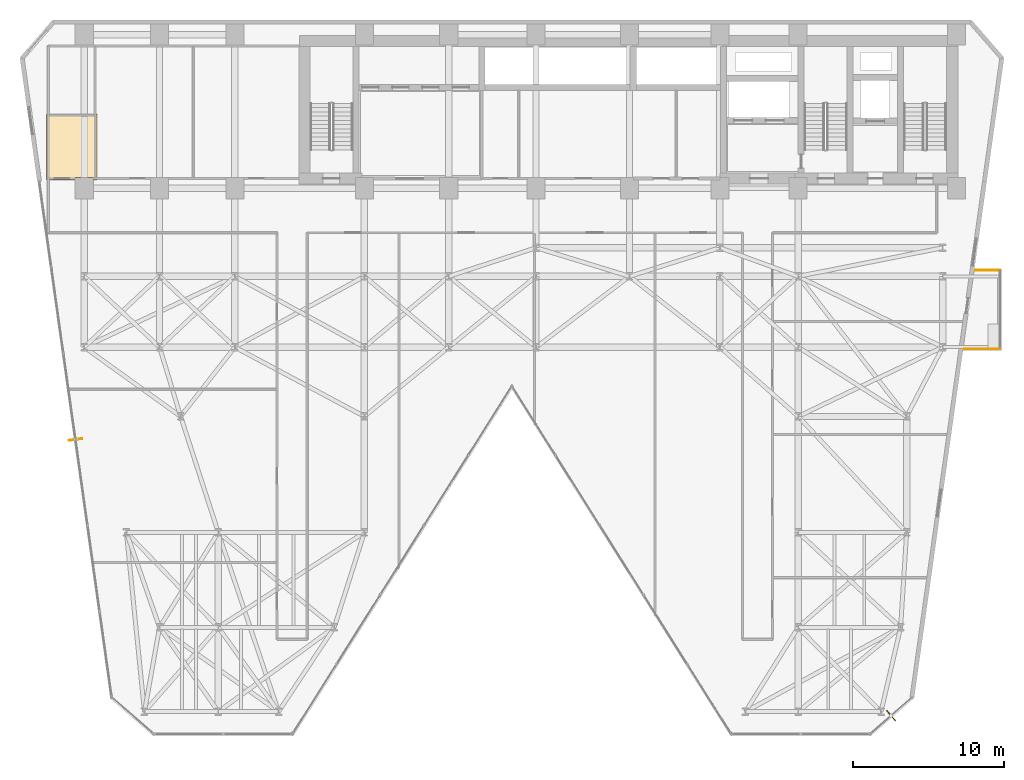
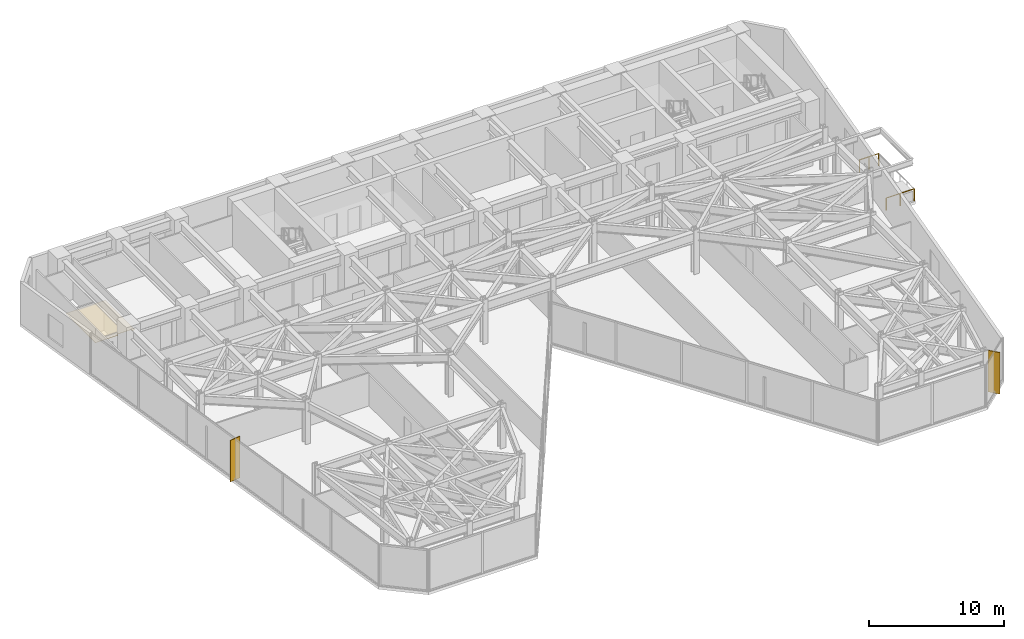
# One storey, part 23 of 25: 2 railings, 2 shading devices, 1 covering.
"""IFC4 building model written with IfcOpenShell, lengths in metres."""

from ifc_helpers import new_model, si_unit, direction, frame, origin, origin_2d, place, context, subcontext, project, spatial, polyline, rectangle, circle, outline, extrude, material, layer, layer_set, type_object, element, save


model = new_model("IFC4")

# Units and contexts
model_context = context("Model", 3, precision=1e-05, world=origin(), true_north=direction((0.0, 1.0)))
body_context = subcontext(model_context, "Body", "Model", "MODEL_VIEW")
ifc_project = project(units=[si_unit("LENGTHUNIT", "METRE"), si_unit("AREAUNIT", "SQUARE_METRE"), si_unit("VOLUMEUNIT", "CUBIC_METRE"), si_unit("PLANEANGLEUNIT", "RADIAN"), si_unit("MASSUNIT", "GRAM", prefix="KILO")], contexts=[model_context])

# Site, building, storey
site_placement = place(None, origin())
site = spatial("IfcSite", under=ifc_project, at=site_placement, CompositionType="ELEMENT")
building_placement = place(site_placement, origin())
building = spatial("IfcBuilding", under=site, at=building_placement, Name="Kravanh Interchange Tower", CompositionType="ELEMENT")
storey_placement = place(building_placement, frame((0.0, 0.0, 73.5)))
storey = spatial("IfcBuildingStorey", under=building, at=storey_placement, Name="L17", CompositionType="ELEMENT", Elevation=73.5)

# Covering
ifc_material_1 = material(Name="Acoustic Mineral Fibre Tile on Aluminium Grid", Category="aluminium")
ifc_layer_1 = layer(ifc_material_1, 0.02490234375)
ifc_layer_set_1 = layer_set([ifc_layer_1], Name="Perforated Acoustic Mineral Ceiling 25mm")
covering_type = type_object("IfcCoveringType", Name="Perforated Acoustic Mineral Ceiling 25mm", PredefinedType="CEILING", material=ifc_layer_set_1)
covering_placement = place(storey_placement, frame((0.0, 0.0, 2.550048828125)))
element("IfcCovering", 1, at=covering_placement, inside=storey, type_object=covering_type, Name="L17 Accessible WC Suspended Ceiling", PredefinedType="CEILING", context=body_context, shape_type="SweptSolid", body=[
    extrude(outline(polyline([(9.4599609375, 42.280029296875), (9.4599609375, 37.909912109375), (9.199951171875, 37.909912109375), (9.199951171875, 38.050048828125), (8.0, 38.050048828125), (8.0, 37.909912109375), (6.080078125, 37.909912109375), (6.080078125, 42.280029296875), (9.4599609375, 42.280029296875)])), origin(), (0.0, 0.0, 1.0), 0.02490234375),
])

# Railings
ifc_material_2 = material(Name="Stainless Steel 316", Category="steel")
ifc_layer_2 = layer(ifc_material_2, 0.06005859375)
ifc_layer_set_2 = layer_set([ifc_layer_2], Name="Perimeter Balcony and Terrace Guardrail Stainless 316 1120mm")
railing_type = type_object("IfcRailingType", Name="Perimeter Balcony and Terrace Guardrail Stainless 316 1120mm", PredefinedType="GUARDRAIL", material=ifc_layer_set_2)
railing_1_placement = place(storey_placement, frame((69.409912109375, 26.669921875, 0.0)))
element("IfcRailing", 2, at=railing_1_placement, inside=storey, type_object=railing_type, Name="L17 E Balcony Guardrail 2", PredefinedType="GUARDRAIL", context=body_context, shape_type="SweptSolid", body=[
    extrude(circle(Radius=0.02392578125, at=origin_2d()), frame((0.0, 0.0, 1.09619140625), z_axis=(-1.0, 0.0, 0.0), x_axis=(0.0, -1.0, 0.0)), (0.0, 0.0, 1.0), 2.382080078125),
    extrude(circle(Radius=0.02099609375, at=origin_2d()), origin(), (0.0, 0.0, 1.0), 1.072021484375),
    extrude(circle(Radius=0.02099609375, at=origin_2d()), frame((-1.19091796875, 0.0, 0.0)), (0.0, 0.0, 1.0), 1.072021484375),
    extrude(circle(Radius=0.02099609375, at=origin_2d()), frame((-2.382080078125, 0.0, 0.0)), (0.0, 0.0, 1.0), 1.072021484375),
])
railing_2_placement = place(storey_placement, frame((67.764404296875, 31.909912109375, 0.0)))
element("IfcRailing", 3, at=railing_2_placement, inside=storey, type_object=railing_type, Name="L17 E Balcony Guardrail 3", PredefinedType="GUARDRAIL", context=body_context, shape_type="SweptSolid", body=[
    extrude(circle(Radius=0.02392578125, at=origin_2d()), frame((0.0, 0.0, 1.09619140625), z_axis=(1.0, 0.0, 0.0), x_axis=(0.0, 1.0, 0.0)), (0.0, 0.0, 1.0), 1.6455078125),
    extrude(circle(Radius=0.02099609375, at=origin_2d()), origin(), (0.0, 0.0, 1.0), 1.072021484375),
    extrude(circle(Radius=0.02099609375, at=origin_2d()), frame((0.82275390625, 0.0, 0.0)), (0.0, 0.0, 1.0), 1.072021484375),
    extrude(circle(Radius=0.02099609375, at=origin_2d()), frame((1.6455078125, 0.0, 0.0)), (0.0, 0.0, 1.0), 1.072021484375),
])

# Shading devices
ifc_material_3 = material(Name="Anodised Champagne Bronze Aluminium", Category="aluminium")
ifc_layer_3 = layer(ifc_material_3, 0.06005859375)
ifc_layer_set_3 = layer_set([ifc_layer_3], Name="Vertical Bronze Solar Fin 900mm")
shading_device_type = type_object("IfcShadingDeviceType", Name="Vertical Bronze Solar Fin 900mm", PredefinedType="USERDEFINED", material=ifc_layer_set_3)
for number, where, z_axis, x_axis, name in (
    (4, (8.03271484375, 20.66845703125, 0.0), (0.0, 0.0, 1.0), (-0.990267798532, -0.139175023587, 0.0), "L17 BRONZE SOLAR FIN 1"),
    (5, (62.16943359375, 2.328369140625, 0.0), (0.0, 0.0, 1.0), (0.656067828783, -0.754701930589, 0.0), "L17 BRONZE SOLAR FIN 2"),
):
    element("IfcShadingDevice", number, at=place(storey_placement, frame(where, z_axis=z_axis, x_axis=x_axis)), inside=storey, type_object=shading_device_type, Name=name, ObjectType="FIN", PredefinedType="USERDEFINED", context=body_context, shape_type="SweptSolid", body=[
        extrude(rectangle(XDim=0.89990234375, YDim=0.06005859375, at=origin_2d()), origin(), (0.0, 0.0, 1.0), 3.739990234375),
    ])

save(model, "model.ifc")
